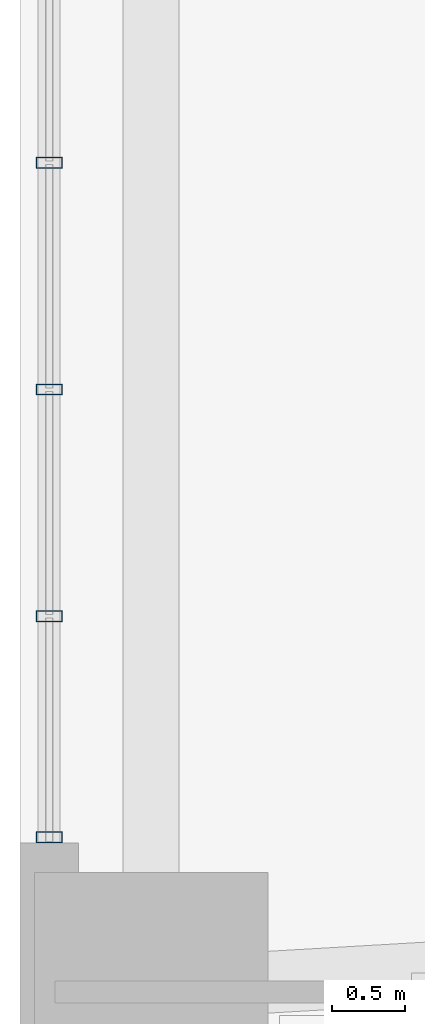
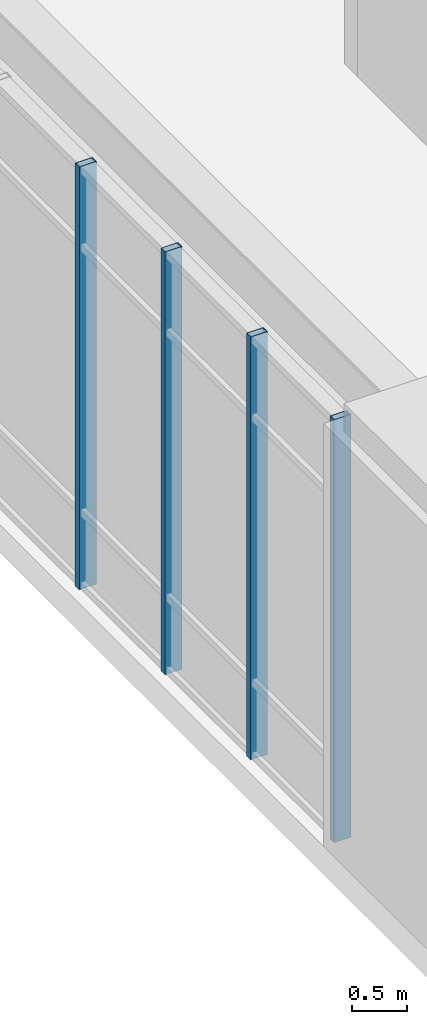
# One storey, part 2 of 18: 4 members, 1 element without a shape of its own.
"""IFC4 building model written with IfcOpenShell, lengths in metres."""

from ifc_helpers import new_model, si_unit, direction, frame, origin, origin_2d, place, context, subcontext, project, spatial, hollow_rectangle, extrude, material, layer, layer_set, material_profile, profile_set, type_object, element, aggregate, save


model = new_model("IFC4")

# Units and contexts
model_context = context("Model", 3, precision=1e-05, world=origin(), true_north=direction((0.0, 1.0)))
body_context = subcontext(model_context, "Body", "Model", "MODEL_VIEW")
ifc_project = project(units=[si_unit("LENGTHUNIT", "METRE"), si_unit("AREAUNIT", "SQUARE_METRE"), si_unit("VOLUMEUNIT", "CUBIC_METRE"), si_unit("PLANEANGLEUNIT", "RADIAN"), si_unit("MASSUNIT", "GRAM", prefix="KILO"), si_unit("THERMODYNAMICTEMPERATUREUNIT", "KELVIN"), si_unit("POWERUNIT", "WATT")], contexts=[model_context])

# Site, building, storey
site_placement = place(None, origin())
site = spatial("IfcSite", under=ifc_project, at=site_placement, CompositionType="ELEMENT")
building_placement = place(site_placement, origin())
building = spatial("IfcBuilding", under=site, at=building_placement, Name="Skarre Station Tower", CompositionType="ELEMENT")
storey_placement = place(building_placement, frame((0.0, 0.0, 11.0)))
storey = spatial("IfcBuildingStorey", under=building, at=storey_placement, Name="L03", CompositionType="ELEMENT", Elevation=11.0)

# Curtain wall, members
ifc_material_1 = material(Name="Thermally Broken Bronze-Anodized Aluminium & Triple Low-E Glass", Category="aluminium")
ifc_layer = layer(ifc_material_1, 0.239990234375, Name="Thermally Broken Bronze-Anodized Aluminium & Triple Low-E Glass")
ifc_layer_set = layer_set([ifc_layer], Name="Thermally Broken Bronze-Anodized Aluminium & Triple Low-E Glass")
curtain_wall_type = type_object("IfcCurtainWallType", Name="Station Concourse Monumental Unitised Curtain Wall", PredefinedType="NOTDEFINED", material=ifc_layer_set)
curtain_wall_placement = place(storey_placement, origin())
curtain_wall = element("IfcCurtainWall", 1, at=curtain_wall_placement, inside=storey, type_object=curtain_wall_type, Name="L03 West Atrium Clerestory Curtain Wall", PredefinedType="NOTDEFINED")
ifc_material_2 = material(Name="Anodized Aluminium 6063-T6", Category="aluminium")
ifc_material_profile = material_profile(ifc_material_2, hollow_rectangle(XDim=0.074951171875, YDim=0.179931640625, WallThickness=0.00390625, at=origin_2d()), Name="Anodized Aluminium 6063-T6")
ifc_profile_set = profile_set([ifc_material_profile], Name="Anodized Aluminium 6063-T6")
member_type = type_object("IfcMemberType", Name="Curtain-Wall Heavy Concourse Mullion 180x75", PredefinedType="MULLION", material=ifc_profile_set)
member_1_placement = place(storey_placement, frame((0.199951171875, 17.0400390625, 0.0), z_axis=(0.0, 0.0, 1.0), x_axis=(0.0, 1.0, 0.0)))
member_1 = element("IfcMember", 2, at=member_1_placement, type_object=member_type, Name="L03 West Atrium Clerestory Curtain Wall Mullion 1", PredefinedType="MULLION", context=body_context, shape_type="SweptSolid", body=[
    extrude(hollow_rectangle(XDim=0.074951171875, YDim=0.179931640625, WallThickness=0.00390625, at=origin_2d()), origin(), (0.0, 0.0, 1.0), 4.68994140625),
])
member_2_placement = place(storey_placement, frame((0.199951171875, 18.555908203125, 0.0), z_axis=(0.0, 0.0, 1.0), x_axis=(0.0, 1.0, 0.0)))
member_2 = element("IfcMember", 3, at=member_2_placement, type_object=member_type, Name="L03 West Atrium Clerestory Curtain Wall Mullion 2", PredefinedType="MULLION", context=body_context, shape_type="SweptSolid", body=[
    extrude(hollow_rectangle(XDim=0.074951171875, YDim=0.179931640625, WallThickness=0.00390625, at=origin_2d()), origin(), (0.0, 0.0, 1.0), 4.68994140625),
])
member_3_placement = place(storey_placement, frame((0.199951171875, 20.111083984375, 0.0), z_axis=(0.0, 0.0, 1.0), x_axis=(0.0, 1.0, 0.0)))
member_3 = element("IfcMember", 4, at=member_3_placement, type_object=member_type, Name="L03 West Atrium Clerestory Curtain Wall Mullion 3", PredefinedType="MULLION", context=body_context, shape_type="SweptSolid", body=[
    extrude(hollow_rectangle(XDim=0.074951171875, YDim=0.179931640625, WallThickness=0.00390625, at=origin_2d()), origin(), (0.0, 0.0, 1.0), 4.68994140625),
])
member_4_placement = place(storey_placement, frame((0.199951171875, 21.6669921875, 0.0), z_axis=(0.0, 0.0, 1.0), x_axis=(0.0, 1.0, 0.0)))
member_4 = element("IfcMember", 5, at=member_4_placement, type_object=member_type, Name="L03 West Atrium Clerestory Curtain Wall Mullion 4", PredefinedType="MULLION", context=body_context, shape_type="SweptSolid", body=[
    extrude(hollow_rectangle(XDim=0.074951171875, YDim=0.179931640625, WallThickness=0.00390625, at=origin_2d()), origin(), (0.0, 0.0, 1.0), 4.68994140625),
])
aggregate(curtain_wall, [member_1, member_2, member_3, member_4])

save(model, "model.ifc")
